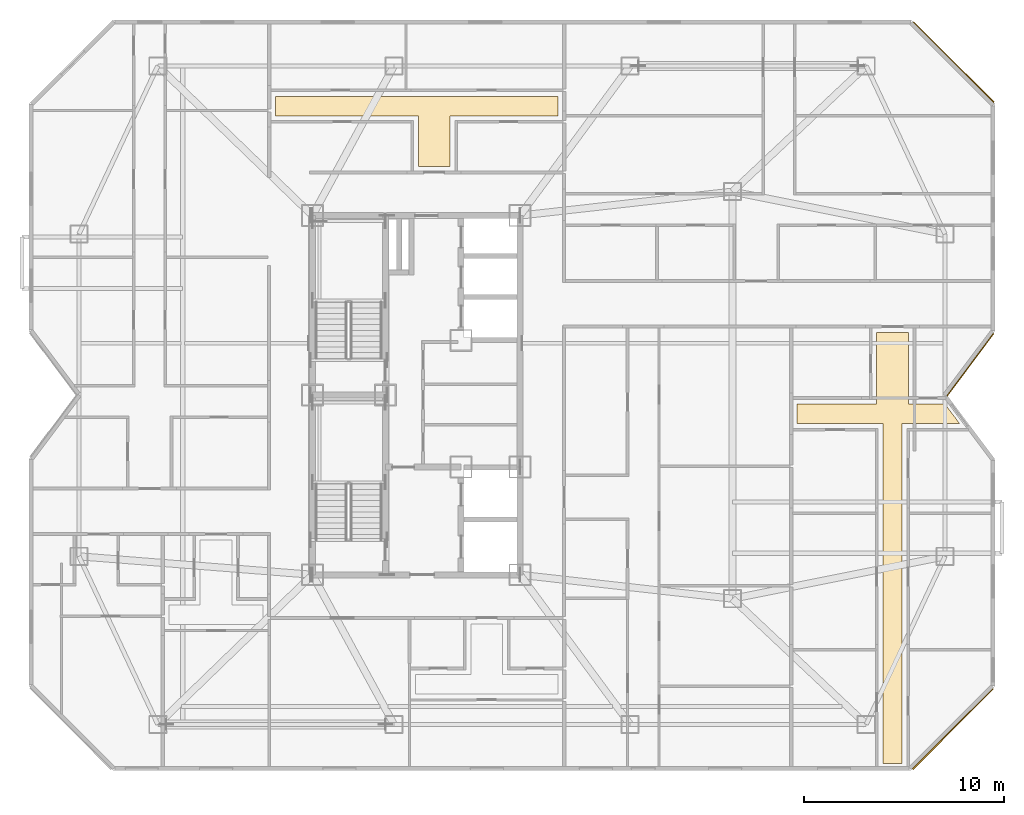
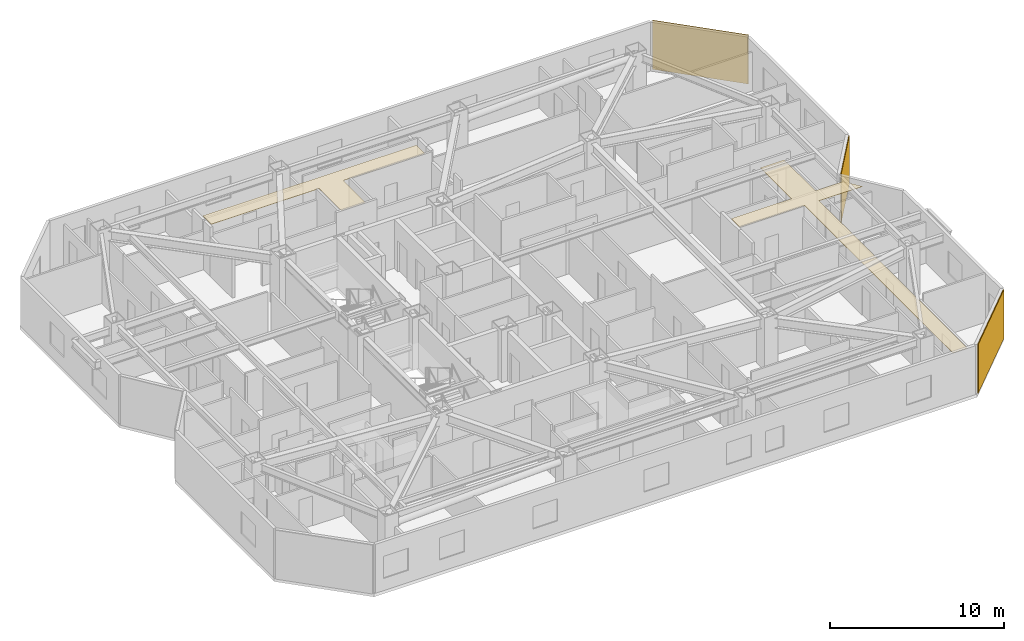
# One storey, part 13 of 13: 5 coverings.
"""IFC4 building model written with IfcOpenShell, lengths in metres."""

import ifcopenshell
import ifcopenshell.guid

model = None  # the IFC model being written
_history = None  # IfcOwnerHistory: only IFC2X3 demands one
_inside = {}  # id of a spatial element -> (the spatial element, [elements in it])
_under = {}  # id of a project, library or spatial element -> (it, [spatial elements below it])
_declared = {}  # id of a project -> (the project, [libraries it declares])
_typed = {}  # id of a type object -> (the type object, [elements of that type])
_made_of = {}  # id of a material, layer set ... -> (it, [elements and type objects made of it])


def new_model(schema):
    """Start an empty IFC model of exactly this schema.

    Asked for "IFC4X3", IfcOpenShell would pick the latest addendum, in which some entities
    have other attributes; the version numbers below select the first issue.
    IFC2X3 requires an IfcOwnerHistory on every rooted entity: one is made here for all.
    """
    global model, _history
    if schema == "IFC4X3":
        model = ifcopenshell.file(schema_version=(4, 3, 0, 0))
    else:
        model = ifcopenshell.file(schema=schema)
    _inside.clear()
    _under.clear()
    _declared.clear()
    _typed.clear()
    _made_of.clear()
    _history = None
    if model.schema == "IFC2X3":
        org = make("IfcOrganization", Name="unknown")
        user = make(
            "IfcPersonAndOrganization",
            ThePerson=make("IfcPerson", FamilyName="unknown"),
            TheOrganization=org,
        )
        app = make(
            "IfcApplication",
            ApplicationDeveloper=org,
            Version="unknown",
            ApplicationFullName="unknown",
            ApplicationIdentifier="unknown",
        )
        _history = make(
            "IfcOwnerHistory",
            OwningUser=user,
            OwningApplication=app,
            ChangeAction="ADDED",
            CreationDate=0,
        )
    return model


def make(cls, **values):
    """One entity of the class cls with the attributes given. An attribute that is None is left unset."""
    return model.create_entity(
        cls, **{name: value for name, value in values.items() if value is not None}
    )


def rooted(cls, **values):
    """An entity with a GlobalId (a new one), such as an element, a storey or a relation."""
    return make(cls, GlobalId=ifcopenshell.guid.new(), OwnerHistory=_history, **values)


def si_unit(unit_type, name, prefix=None):
    """IfcSIUnit, for example si_unit("LENGTHUNIT", "METRE", prefix="MILLI")."""
    return make("IfcSIUnit", UnitType=unit_type, Prefix=prefix, Name=name)


def assignment(units):
    """IfcUnitAssignment: the units of a project."""
    return None if units is None else make("IfcUnitAssignment", Units=units)


def point(xyz):
    """IfcCartesianPoint."""
    return None if xyz is None else make("IfcCartesianPoint", Coordinates=xyz)


def direction(xyz):
    """IfcDirection."""
    return None if xyz is None else make("IfcDirection", DirectionRatios=xyz)


def frame(location, z_axis=None, x_axis=None):
    """IfcAxis2Placement3D, a coordinate frame: its origin and axes. An axis left out is left unset."""
    return make(
        "IfcAxis2Placement3D",
        Location=point(location),
        Axis=direction(z_axis),
        RefDirection=direction(x_axis),
    )


def frame_2d(location, x_axis=None):
    """IfcAxis2Placement2D, a coordinate frame in the plane: its origin and x axis."""
    return make(
        "IfcAxis2Placement2D", Location=point(location), RefDirection=direction(x_axis)
    )


def origin():
    """The frame at (0, 0, 0) with its axes left unset."""
    return frame((0.0, 0.0, 0.0))


def origin_2d():
    """The frame at (0, 0) in the plane with its x axis left unset."""
    return frame_2d((0.0, 0.0))


def place(relative_to, where):
    """IfcLocalPlacement: puts the frame where relative to a parent placement (None: the world)."""
    return make(
        "IfcLocalPlacement", PlacementRelTo=relative_to, RelativePlacement=where
    )


def context(
    kind, dimensions, precision=None, world=None, true_north=None, identifier=None
):
    """IfcGeometricRepresentationContext, for example the 3D "Model" context."""
    return make(
        "IfcGeometricRepresentationContext",
        ContextIdentifier=identifier,
        ContextType=kind,
        CoordinateSpaceDimension=dimensions,
        Precision=precision,
        WorldCoordinateSystem=world,
        TrueNorth=true_north,
    )


def subcontext(parent, identifier, kind, view, scale=None):
    """IfcGeometricRepresentationSubContext, for example "Body" below "Model"."""
    return make(
        "IfcGeometricRepresentationSubContext",
        ContextIdentifier=identifier,
        ContextType=kind,
        ParentContext=parent,
        TargetScale=scale,
        TargetView=view,
    )


def project(units=None, contexts=None):
    """IfcProject with its units and contexts."""
    return rooted(
        "IfcProject",
        Name="project",
        RepresentationContexts=contexts,
        UnitsInContext=assignment(units),
    )


def spatial(cls, under=None, at=None, **own):
    """A site, building, storey or space (cls), placed at a placement, below another one or the project."""
    s = rooted(cls, ObjectPlacement=at, **own)
    if under is not None:
        _under.setdefault(under.id(), (under, []))[1].append(s)
    return s


def polyline(points):
    """IfcPolyline through the points."""
    return make("IfcPolyline", Points=[point(p) for p in points])


def profile(cls, at=None, kind="AREA", **sizes):
    """A parametric profile (cls). Its sizes go by their IFC names, for example OverallWidth=200.0."""
    return make(cls, ProfileType=kind, Position=at, **sizes)


def rectangle(**sizes):
    """IfcRectangleProfileDef."""
    return profile("IfcRectangleProfileDef", **sizes)


def outline(outer, holes=None, kind="AREA"):
    """IfcArbitraryClosedProfileDef: a profile drawn as a closed curve; with holes, ...WithVoids."""
    if holes is None:
        return make("IfcArbitraryClosedProfileDef", ProfileType=kind, OuterCurve=outer)
    return make(
        "IfcArbitraryProfileDefWithVoids",
        ProfileType=kind,
        OuterCurve=outer,
        InnerCurves=holes,
    )


def extrude(swept, where, along, depth):
    """IfcExtrudedAreaSolid: the profile swept, set in the frame where, extruded along a direction by depth."""
    return make(
        "IfcExtrudedAreaSolid",
        SweptArea=swept,
        Position=where,
        ExtrudedDirection=direction(along),
        Depth=depth,
    )


def shape(context_of_items, identifier, shape_type, items):
    """IfcShapeRepresentation: the items that make up one representation, for example the "Body"."""
    return make(
        "IfcShapeRepresentation",
        ContextOfItems=context_of_items,
        RepresentationIdentifier=identifier,
        RepresentationType=shape_type,
        Items=items,
    )


def material(Name=None, Category=None):
    """IfcMaterial."""
    return make("IfcMaterial", Name=Name, Category=Category)


def layer(
    of_material, thickness, ventilated=None, Name=None, Category=None, Priority=None
):
    """IfcMaterialLayer: one layer of a wall or slab, of a material (None: an air gap)."""
    return make(
        "IfcMaterialLayer",
        Material=of_material,
        LayerThickness=thickness,
        IsVentilated=ventilated,
        Name=Name,
        Category=Category,
        Priority=Priority,
    )


def layer_set(layers, Name=None):
    """IfcMaterialLayerSet."""
    return make("IfcMaterialLayerSet", MaterialLayers=layers, LayerSetName=Name)


def made_of(thing, what):
    """Note that an element or type object is made of a material, layer set ...; save() writes the relation."""
    if what is not None:
        _made_of.setdefault(what.id(), (what, []))[1].append(thing)
    return thing


def type_object(cls, material=None, **own):
    """A type object (cls), such as IfcWallType, which elements share."""
    return made_of(rooted(cls, **own), material)


def element(
    cls,
    number,
    at=None,
    inside=None,
    cuts=None,
    type_object=None,
    material=None,
    context=None,
    identifier="Body",
    shape_type=None,
    held_by="IfcProductDefinitionShape",
    body=None,
    shapes=None,
    **own,
):
    """One element of the class cls, such as IfcWall. Its Tag is "e" and its number.

    at: its placement. inside: the storey or other place that contains it. cuts: it is an
    opening in that element (IfcRelVoidsElement). A single representation is given by context,
    identifier, shape_type and body (its items); several are given by shapes. held_by: the class
    of the entity that holds the representations. save() writes the other relations.
    """
    e = rooted(cls, Tag="e%d" % number, ObjectPlacement=at, **own)
    if body is not None:
        shapes = [shape(context, identifier, shape_type, body)]
    if shapes is not None:
        e.Representation = make(held_by, Representations=shapes)
    if inside is not None:
        _inside.setdefault(inside.id(), (inside, []))[1].append(e)
    if cuts is not None:
        rooted(
            "IfcRelVoidsElement", RelatingBuildingElement=cuts, RelatedOpeningElement=e
        )
    if type_object is not None:
        _typed.setdefault(type_object.id(), (type_object, []))[1].append(e)
    return made_of(e, material)


def aggregate(whole, parts):
    """IfcRelAggregates: a whole, such as a stair, and the parts it consists of."""
    return rooted("IfcRelAggregates", RelatingObject=whole, RelatedObjects=parts)


def save(model, path):
    """Write the relations noted so far, then the file.

    IfcRelAggregates (storeys below a building ...), IfcRelContainedInSpatialStructure (elements
    in a storey), IfcRelDefinesByType, IfcRelAssociatesMaterial and IfcRelDeclares: one each for
    every whole, place, type object, material and project.
    """
    for whole, parts in _under.values():
        aggregate(whole, parts)
    for where, things in _inside.values():
        rooted(
            "IfcRelContainedInSpatialStructure",
            RelatedElements=things,
            RelatingStructure=where,
        )
    for kind, things in _typed.values():
        rooted("IfcRelDefinesByType", RelatedObjects=things, RelatingType=kind)
    for what, things in _made_of.values():
        rooted("IfcRelAssociatesMaterial", RelatedObjects=things, RelatingMaterial=what)
    for by, libraries in _declared.values():
        rooted("IfcRelDeclares", RelatingContext=by, RelatedDefinitions=libraries)
    model.write(path)


model = new_model("IFC4")

# Units and contexts
model_context = context("Model", 3, precision=1e-05, world=origin(), true_north=direction((0.0, 1.0)))
body_context = subcontext(model_context, "Body", "Model", "MODEL_VIEW")
ifc_project = project(units=[si_unit("LENGTHUNIT", "METRE"), si_unit("AREAUNIT", "SQUARE_METRE"), si_unit("VOLUMEUNIT", "CUBIC_METRE"), si_unit("PLANEANGLEUNIT", "RADIAN"), si_unit("MASSUNIT", "GRAM", prefix="KILO")], contexts=[model_context])

# Site, building, storey
site_placement = place(None, origin())
site = spatial("IfcSite", under=ifc_project, at=site_placement, CompositionType="ELEMENT")
building_placement = place(site_placement, origin())
building = spatial("IfcBuilding", under=site, at=building_placement, Name="Khamvora Tower", CompositionType="ELEMENT")
storey_placement = place(building_placement, frame((0.0, 0.0, 166.85009765625)))
storey = spatial("IfcBuildingStorey", under=building, at=storey_placement, Name="L42", CompositionType="ELEMENT", Elevation=166.85009765625)

# Coverings
ifc_material_1 = material(Name="Perforated Mineral-Fibre Acoustic Ceiling Tile", Category="gypsum")
ifc_layer_1 = layer(ifc_material_1, 0.02490234375)
ifc_layer_set_1 = layer_set([ifc_layer_1], Name="Perforated Mineral-Fibre Acoustic Ceiling Tile")
covering_type_1 = type_object("IfcCoveringType", Name="COV-CEIL-600", PredefinedType="CEILING", material=ifc_layer_set_1)
covering_1_placement = place(storey_placement, frame((0.0, 0.0, 3.14990234375)))
element("IfcCovering", 1, at=covering_1_placement, inside=storey, type_object=covering_type_1, Name="L42 Apartment 42NA Living and Dining Room acoustic ceiling panel", PredefinedType="CEILING", context=body_context, shape_type="SweptSolid", body=[
    extrude(outline(polyline([(35.89404296875, 39.469970703125), (34.303955078125, 39.469970703125), (34.303955078125, 42.0), (27.139892578125, 42.0), (27.139892578125, 42.969970703125), (41.31005859375, 42.969970703125), (41.31005859375, 42.0), (35.89404296875, 42.0), (35.89404296875, 39.469970703125)])), origin(), (0.0, 0.0, 1.0), 0.02490234375),
])
covering_2_placement = place(storey_placement, frame((0.0, 0.0, 3.14990234375)))
element("IfcCovering", 2, at=covering_2_placement, inside=storey, type_object=covering_type_1, Name="L42 Apartment 42EB Living and Dining Room acoustic ceiling panel", PredefinedType="CEILING", context=body_context, shape_type="SweptSolid", body=[
    extrude(outline(polyline([(58.550048828125, 26.580078125), (58.550048828125, 9.550048828125), (57.590087890625, 9.550048828125), (57.590087890625, 26.580078125), (53.2900390625, 26.580078125), (53.2900390625, 27.550048828125), (57.27490234375, 27.550048828125), (57.27490234375, 31.1298828125), (58.864990234375, 31.1298828125), (58.864990234375, 27.550048828125), (60.699951171875, 27.550048828125), (61.208984375, 26.8720703125), (61.427001953125, 26.580078125), (58.550048828125, 26.580078125)])), origin(), (0.0, 0.0, 1.0), 0.02490234375),
])
ifc_material_2 = material(Name="Pale Anodised Aluminium Rainscreen Panel", Category="aluminium")
ifc_layer_2 = layer(ifc_material_2, 0.044921875)
ifc_layer_set_2 = layer_set([ifc_layer_2], Name="Pale Anodised Aluminium Rainscreen Panel")
covering_type_2 = type_object("IfcCoveringType", Name="COV-CLD-ALU", PredefinedType="CLADDING", material=ifc_layer_set_2)
covering_3_placement = place(storey_placement, frame((61.135009765625, 44.69091796875, 0.0), z_axis=(0.0, 0.0, 1.0), x_axis=(0.707106781187, -0.707106781187, 0.0)))
element("IfcCovering", 3, at=covering_3_placement, inside=storey, type_object=covering_type_2, Name="L42 chamfer rainscreen cladding 08.1", PredefinedType="CLADDING", context=body_context, shape_type="SweptSolid", body=[
    extrude(rectangle(XDim=5.694091796875, YDim=0.044921875, at=origin_2d()), origin(), (0.0, 0.0, 1.0), 3.429931640625),
])
covering_4_placement = place(storey_placement, frame((61.966064453125, 29.52490234375, 0.0), z_axis=(0.0, 0.0, 1.0), x_axis=(-0.600120318085, -0.799909747298, 0.0)))
element("IfcCovering", 4, at=covering_4_placement, inside=storey, type_object=covering_type_2, Name="L42 chamfer rainscreen cladding 10.1", PredefinedType="CLADDING", context=body_context, shape_type="SweptSolid", body=[
    extrude(rectangle(XDim=3.888916015625, YDim=0.044921875, at=origin_2d()), origin(), (0.0, 0.0, 1.0), 3.429931640625),
])
ifc_material_3 = material(Name="Anodised Bronze Aluminium Spandrel Panel", Category="aluminium")
ifc_layer_3 = layer(ifc_material_3, 0.054931640625)
ifc_layer_set_3 = layer_set([ifc_layer_3], Name="Anodised Bronze Aluminium Spandrel Panel")
covering_type_3 = type_object("IfcCoveringType", Name="COV-CLD-BRZ", PredefinedType="CLADDING", material=ifc_layer_set_3)
covering_5_placement = place(storey_placement, frame((61.091064453125, 11.26611328125, 0.0), z_axis=(0.0, 0.0, 1.0), x_axis=(-0.707106781187, -0.707106781187, 0.0)))
element("IfcCovering", 5, at=covering_5_placement, inside=storey, type_object=covering_type_3, Name="L42 chamfer rainscreen cladding 13.1", PredefinedType="CLADDING", context=body_context, shape_type="SweptSolid", body=[
    extrude(rectangle(XDim=5.695068359375, YDim=0.054931640625, at=origin_2d()), origin(), (0.0, 0.0, 1.0), 3.429931640625),
])

save(model, "model.ifc")
